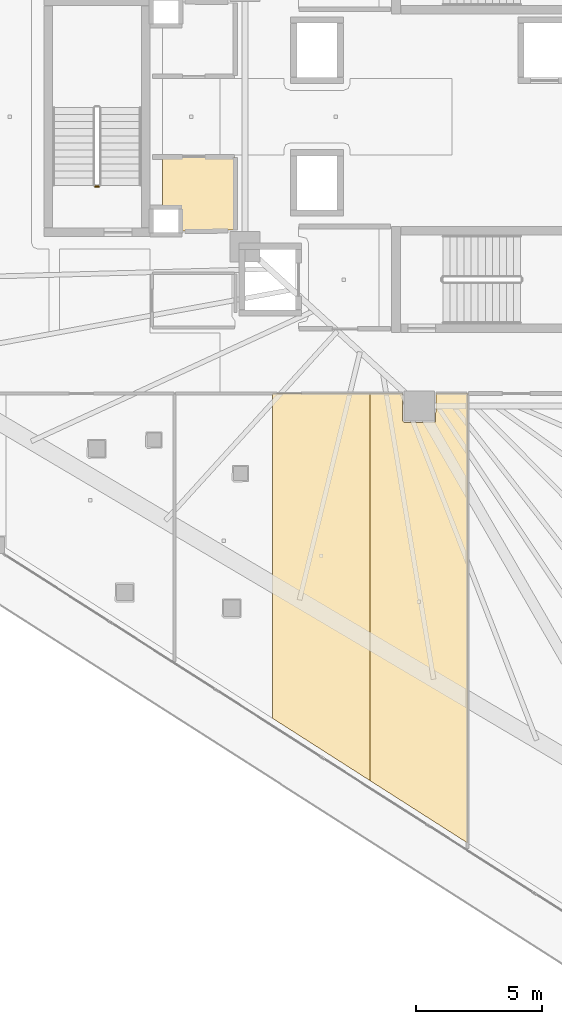
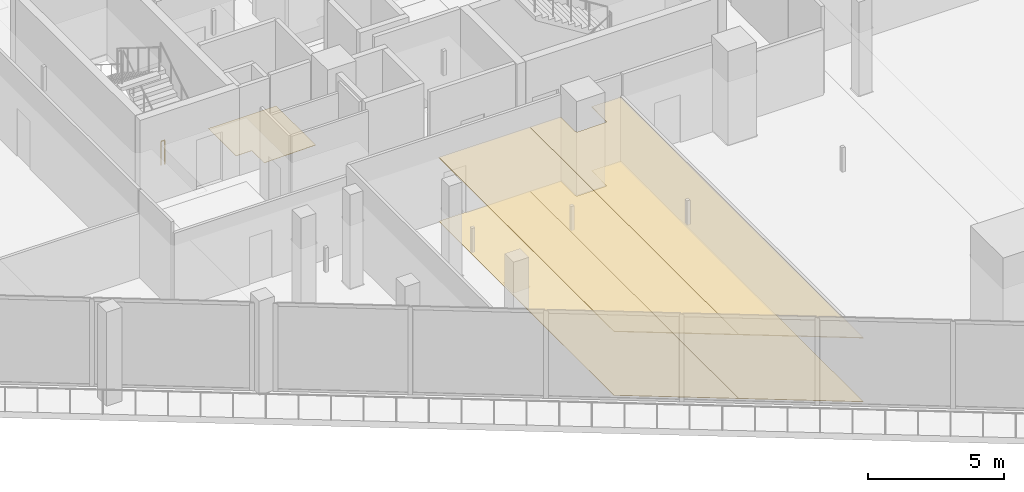
# One storey, part 37 of 44: 5 coverings, 1 railing.
"""IFC4 building model written with IfcOpenShell, lengths in metres."""

from ifc_helpers import new_model, si_unit, direction, frame, origin, origin_2d, place, context, subcontext, project, spatial, polyline, circle, outline, extrude, material, layer, layer_set, type_object, element, save


model = new_model("IFC4")

# Units and contexts
model_context = context("Model", 3, precision=1e-05, world=origin(), true_north=direction((0.0, 1.0)))
body_context = subcontext(model_context, "Body", "Model", "MODEL_VIEW")
ifc_project = project(units=[si_unit("LENGTHUNIT", "METRE"), si_unit("AREAUNIT", "SQUARE_METRE"), si_unit("VOLUMEUNIT", "CUBIC_METRE"), si_unit("PLANEANGLEUNIT", "RADIAN"), si_unit("MASSUNIT", "GRAM", prefix="KILO")], contexts=[model_context])

# Site, building, storey
site_placement = place(None, origin())
site = spatial("IfcSite", under=ifc_project, at=site_placement, CompositionType="ELEMENT")
building_placement = place(site_placement, origin())
building = spatial("IfcBuilding", under=site, at=building_placement, Name="Qorvath Tower", CompositionType="ELEMENT")
storey_placement = place(building_placement, frame((0.0, 0.0, 40.800048828125)))
storey = spatial("IfcBuildingStorey", under=building, at=storey_placement, Name="L08", CompositionType="ELEMENT", Elevation=40.800048828125)

# Coverings
ifc_material_1 = material(Name="Acoustic mineral fibre ceiling tile", Category="gypsum")
ifc_layer_1 = layer(ifc_material_1, 0.030029296875)
ifc_layer_set_1 = layer_set([ifc_layer_1], Name="COV-CEIL")
covering_type_1 = type_object("IfcCoveringType", Name="COV-CEIL", PredefinedType="CEILING", material=ifc_layer_set_1)
covering_1_placement = place(storey_placement, frame((0.0, 0.0, 2.849853515625)))
element("IfcCovering", 1, at=covering_1_placement, inside=storey, type_object=covering_type_1, Name="L08 Suspended Acoustic Ceiling 017", PredefinedType="CEILING", context=body_context, shape_type="SweptSolid", body=[
    extrude(outline(polyline([(-25.556640625, -26.271240234375), (-25.556640625, -10.962890625), (-29.4130859375, -10.962890625), (-29.4130859375, -23.806396484375), (-25.556640625, -26.271240234375)])), origin(), (0.0, 0.0, 1.0), 0.030029296875),
])
covering_2_placement = place(storey_placement, frame((0.0, 0.0, 2.849853515625)))
element("IfcCovering", 2, at=covering_2_placement, inside=storey, type_object=covering_type_1, Name="L08 Suspended Acoustic Ceiling 018", PredefinedType="CEILING", context=body_context, shape_type="SweptSolid", body=[
    extrude(outline(polyline([(-21.7001953125, -28.736083984375), (-21.7001953125, -10.962890625), (-22.93994140625, -10.962890625), (-22.95751953125, -12.092529296875), (-24.199951171875, -12.110107421875), (-24.260009765625, -12.050048828125), (-24.260009765625, -10.962890625), (-25.556640625, -10.962890625), (-25.556640625, -26.271240234375), (-21.7001953125, -28.736083984375)])), origin(), (0.0, 0.0, 1.0), 0.030029296875),
])
ifc_material_2 = material(Name="Low-VOC modular carpet tile", Category="textile")
ifc_layer_2 = layer(ifc_material_2, 0.014892578125)
ifc_layer_set_2 = layer_set([ifc_layer_2], Name="COV-FLOOR-CPT")
covering_type_2 = type_object("IfcCoveringType", Name="COV-FLOOR-CPT", PredefinedType="FLOORING", material=ifc_layer_set_2)
covering_3_placement = place(storey_placement, origin())
element("IfcCovering", 3, at=covering_3_placement, inside=storey, type_object=covering_type_2, Name="L08 Floor Finish 006", PredefinedType="FLOORING", context=body_context, shape_type="SweptSolid", body=[
    extrude(outline(polyline([(-30.885009765625, -1.60498046875), (-33.760009765625, -1.60498046875), (-33.760009765625, -3.636962890625), (-33.08837890625, -3.638427734375), (-33.0869140625, -4.534912109375), (-30.885009765625, -4.489990234375), (-30.885009765625, -1.60498046875)])), origin(), (0.0, 0.0, 1.0), 0.014892578125),
])
covering_4_placement = place(storey_placement, origin())
element("IfcCovering", 4, at=covering_4_placement, inside=storey, type_object=covering_type_2, Name="L08 Floor Finish 017", PredefinedType="FLOORING", context=body_context, shape_type="SweptSolid", body=[
    extrude(outline(polyline([(-25.556640625, -26.271240234375), (-25.556640625, -10.962890625), (-29.4130859375, -10.962890625), (-29.4130859375, -23.806396484375), (-25.556640625, -26.271240234375)])), origin(), (0.0, 0.0, 1.0), 0.014892578125),
])
covering_5_placement = place(storey_placement, origin())
element("IfcCovering", 5, at=covering_5_placement, inside=storey, type_object=covering_type_2, Name="L08 Floor Finish 018", PredefinedType="FLOORING", context=body_context, shape_type="SweptSolid", body=[
    extrude(outline(polyline([(-21.7001953125, -28.736083984375), (-21.7001953125, -10.962890625), (-22.93994140625, -10.962890625), (-22.95751953125, -12.092529296875), (-24.199951171875, -12.110107421875), (-24.260009765625, -12.050048828125), (-24.260009765625, -10.962890625), (-25.556640625, -10.962890625), (-25.556640625, -26.271240234375), (-21.7001953125, -28.736083984375)])), origin(), (0.0, 0.0, 1.0), 0.014892578125),
])

# Railing
ifc_material_3 = material(Name="Painted galvanised steel", Category="steel")
railing_type = type_object("IfcRailingType", Name="RL-STR-GRD", PredefinedType="GUARDRAIL", material=ifc_material_3)
railing_placement = place(storey_placement, frame((-36.280029296875, -2.77001953125, 0.0)))
element("IfcRailing", 6, at=railing_placement, inside=storey, type_object=railing_type, Name="L08 TS3 stair guard 4", PredefinedType="GUARDRAIL", context=body_context, shape_type="SweptSolid", body=[
    extrude(circle(Radius=0.02392578125, at=origin_2d()), frame((0.0, 0.0, 1.076171875), z_axis=(-1.0, 0.0, 0.0), x_axis=(0.0, -1.0, 0.0)), (0.0, 0.0, 1.0), 0.14990234375),
    extrude(circle(Radius=0.02099609375, at=origin_2d()), origin(), (0.0, 0.0, 1.0), 1.052001953125),
    extrude(circle(Radius=0.02099609375, at=origin_2d()), frame((-0.14990234375, 0.0, 0.0)), (0.0, 0.0, 1.0), 1.052001953125),
])

save(model, "model.ifc")
